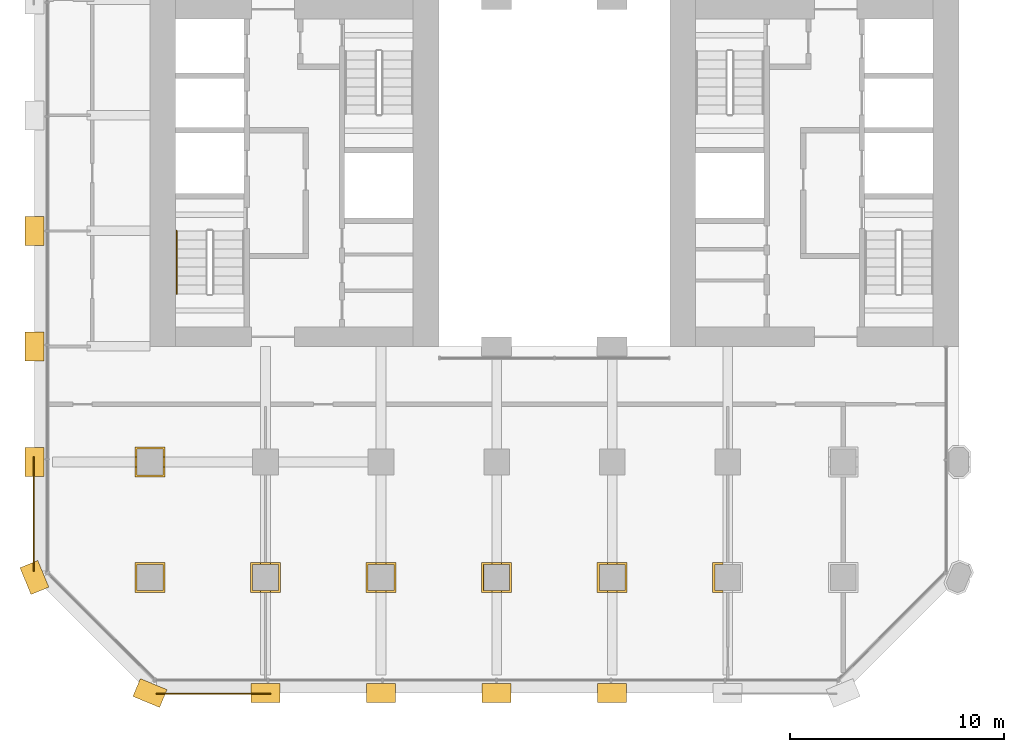
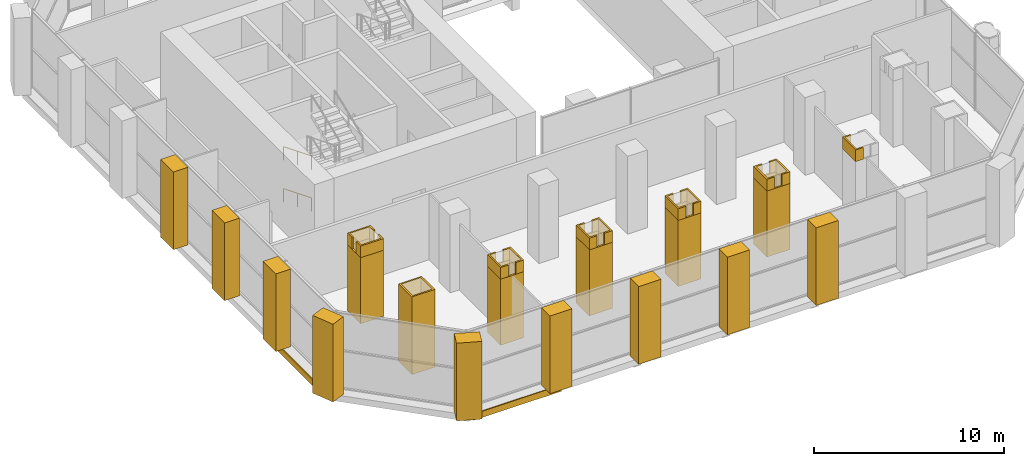
# One storey, part 19 of 27: 28 coverings, 2 railings.
"""IFC4 building model written with IfcOpenShell, lengths in metres."""

from ifc_helpers import new_model, si_unit, direction, frame, frame_2d, origin, origin_2d, place, context, subcontext, project, spatial, polyline, rectangle, circle, outline, extrude, material, layer, layer_set, type_object, element, save


model = new_model("IFC4")

# Units and contexts
model_context = context("Model", 3, precision=1e-05, world=origin(), true_north=direction((0.0, 1.0)))
body_context = subcontext(model_context, "Body", "Model", "MODEL_VIEW")
ifc_project = project(units=[si_unit("LENGTHUNIT", "METRE"), si_unit("AREAUNIT", "SQUARE_METRE"), si_unit("VOLUMEUNIT", "CUBIC_METRE"), si_unit("PLANEANGLEUNIT", "RADIAN"), si_unit("MASSUNIT", "GRAM", prefix="KILO")], contexts=[model_context])

# Site, building, storey
site_placement = place(None, origin())
site = spatial("IfcSite", under=ifc_project, at=site_placement, CompositionType="ELEMENT")
building_placement = place(site_placement, origin())
building = spatial("IfcBuilding", under=site, at=building_placement, Name="Tabaq Tower and Sports Hall", CompositionType="ELEMENT")
storey_placement = place(building_placement, frame((0.0, 0.0, 14.39990234375)))
storey = spatial("IfcBuildingStorey", under=building, at=storey_placement, Name="L02", CompositionType="ELEMENT", Elevation=14.39990234375)

# Coverings
ifc_material_1 = material(Name="Precast concrete C60/75", Category="concrete")
ifc_layer_1 = layer(ifc_material_1, 0.10009765625)
ifc_layer_set_1 = layer_set([ifc_layer_1], Name="Column cladding 100")
covering_type_1 = type_object("IfcCoveringType", Name="Column cladding 100", PredefinedType="CLADDING", material=ifc_layer_set_1)
covering_1_placement = place(storey_placement, origin())
element("IfcCovering", 1, at=covering_1_placement, inside=storey, type_object=covering_type_1, Name="Column cladding L02 CC-2B-P", PredefinedType="CLADDING", context=body_context, shape_type="SweptSolid", body=[
    extrude(outline(polyline([(4.7001953125, 6.099609375), (6.099609375, 6.099609375), (6.099609375, 4.7001953125), (4.7001953125, 4.7001953125), (4.7001953125, 6.099609375)]), holes=[polyline([(6.000244140625, 4.7998046875), (6.000244140625, 6.000244140625), (4.7998046875, 6.000244140625), (4.7998046875, 4.7998046875), (6.000244140625, 4.7998046875)])]), origin(), (0.0, 0.0, 1.0), 5.0),
])
covering_2_placement = place(storey_placement, origin())
element("IfcCovering", 2, at=covering_2_placement, inside=storey, type_object=covering_type_1, Name="Column cladding L02 CC-2C-P", PredefinedType="CLADDING", context=body_context, shape_type="SweptSolid", body=[
    extrude(outline(polyline([(4.7001953125, 11.499755859375), (6.099609375, 11.499755859375), (6.099609375, 10.100341796875), (4.7001953125, 10.100341796875), (4.7001953125, 11.499755859375)]), holes=[polyline([(6.000244140625, 10.19970703125), (6.000244140625, 11.400390625), (4.7998046875, 11.400390625), (4.7998046875, 10.19970703125), (6.000244140625, 10.19970703125)])]), origin(), (0.0, 0.0, 1.0), 4.25),
])
covering_3_placement = place(storey_placement, frame((0.0, 0.0, 4.25)))
element("IfcCovering", 3, at=covering_3_placement, inside=storey, type_object=covering_type_1, Name="Column cladding L02 CC-2C-P head", PredefinedType="CLADDING", context=body_context, shape_type="SweptSolid", body=[
    extrude(outline(polyline([(4.79931640625, 10.574462890625), (4.79931640625, 10.199462890625), (6.00048828125, 10.199462890625), (6.00048828125, 10.574462890625), (6.099365234375, 10.574462890625), (6.099365234375, 10.1005859375), (4.70068359375, 10.1005859375), (4.70068359375, 10.574462890625), (4.79931640625, 10.574462890625)])), origin(), (0.0, 0.0, 1.0), 0.75),
])
covering_4_placement = place(storey_placement, frame((0.0, 0.0, 4.25)))
element("IfcCovering", 4, at=covering_4_placement, inside=storey, type_object=covering_type_1, Name="Column cladding L02 CC-2C-P head 2", PredefinedType="CLADDING", context=body_context, shape_type="SweptSolid", body=[
    extrude(outline(polyline([(4.79931640625, 11.025634765625), (4.70068359375, 11.025634765625), (4.70068359375, 11.49951171875), (6.099365234375, 11.49951171875), (6.099365234375, 11.025634765625), (6.00048828125, 11.025634765625), (6.00048828125, 11.400634765625), (4.79931640625, 11.400634765625), (4.79931640625, 11.025634765625)])), origin(), (0.0, 0.0, 1.0), 0.75),
])
covering_5_placement = place(storey_placement, origin())
element("IfcCovering", 5, at=covering_5_placement, inside=storey, type_object=covering_type_1, Name="Column cladding L02 CC-3B-P", PredefinedType="CLADDING", context=body_context, shape_type="SweptSolid", body=[
    extrude(outline(polyline([(10.100341796875, 6.099609375), (11.499755859375, 6.099609375), (11.499755859375, 4.7001953125), (10.100341796875, 4.7001953125), (10.100341796875, 6.099609375)]), holes=[polyline([(11.400390625, 4.7998046875), (11.400390625, 6.000244140625), (10.19970703125, 6.000244140625), (10.19970703125, 4.7998046875), (11.400390625, 4.7998046875)])]), origin(), (0.0, 0.0, 1.0), 4.25),
])
covering_6_placement = place(storey_placement, frame((0.0, 0.0, 4.25)))
element("IfcCovering", 6, at=covering_6_placement, inside=storey, type_object=covering_type_1, Name="Column cladding L02 CC-3B-P head", PredefinedType="CLADDING", context=body_context, shape_type="SweptSolid", body=[
    extrude(outline(polyline([(10.574462890625, 4.79931640625), (10.574462890625, 4.70068359375), (10.1005859375, 4.70068359375), (10.1005859375, 6.099365234375), (10.574462890625, 6.099365234375), (10.574462890625, 6.00048828125), (10.199462890625, 6.00048828125), (10.199462890625, 4.79931640625), (10.574462890625, 4.79931640625)])), origin(), (0.0, 0.0, 1.0), 0.75),
])
covering_7_placement = place(storey_placement, frame((0.0, 0.0, 4.25)))
element("IfcCovering", 7, at=covering_7_placement, inside=storey, type_object=covering_type_1, Name="Column cladding L02 CC-3B-P head 2", PredefinedType="CLADDING", context=body_context, shape_type="SweptSolid", body=[
    extrude(outline(polyline([(11.025634765625, 4.79931640625), (11.400634765625, 4.79931640625), (11.400634765625, 6.00048828125), (11.025634765625, 6.00048828125), (11.025634765625, 6.099365234375), (11.49951171875, 6.099365234375), (11.49951171875, 4.70068359375), (11.025634765625, 4.70068359375), (11.025634765625, 4.79931640625)])), origin(), (0.0, 0.0, 1.0), 0.75),
])
covering_8_placement = place(storey_placement, origin())
element("IfcCovering", 8, at=covering_8_placement, inside=storey, type_object=covering_type_1, Name="Column cladding L02 CC-4B-P", PredefinedType="CLADDING", context=body_context, shape_type="SweptSolid", body=[
    extrude(outline(polyline([(15.500244140625, 6.099609375), (16.899658203125, 6.099609375), (16.899658203125, 4.7001953125), (15.500244140625, 4.7001953125), (15.500244140625, 6.099609375)]), holes=[polyline([(16.80029296875, 4.7998046875), (16.80029296875, 6.000244140625), (15.599609375, 6.000244140625), (15.599609375, 4.7998046875), (16.80029296875, 4.7998046875)])]), origin(), (0.0, 0.0, 1.0), 4.25),
])
covering_9_placement = place(storey_placement, frame((0.0, 0.0, 4.25)))
element("IfcCovering", 9, at=covering_9_placement, inside=storey, type_object=covering_type_1, Name="Column cladding L02 CC-4B-P head", PredefinedType="CLADDING", context=body_context, shape_type="SweptSolid", body=[
    extrude(outline(polyline([(16.425537109375, 4.79931640625), (16.800537109375, 4.79931640625), (16.800537109375, 6.00048828125), (16.425537109375, 6.00048828125), (16.425537109375, 6.099365234375), (16.8994140625, 6.099365234375), (16.8994140625, 4.70068359375), (16.425537109375, 4.70068359375), (16.425537109375, 4.79931640625)])), origin(), (0.0, 0.0, 1.0), 0.75),
])
covering_10_placement = place(storey_placement, frame((0.0, 0.0, 4.25)))
element("IfcCovering", 10, at=covering_10_placement, inside=storey, type_object=covering_type_1, Name="Column cladding L02 CC-4B-P head 2", PredefinedType="CLADDING", context=body_context, shape_type="SweptSolid", body=[
    extrude(outline(polyline([(15.974365234375, 4.79931640625), (15.974365234375, 4.70068359375), (15.50048828125, 4.70068359375), (15.50048828125, 6.099365234375), (15.974365234375, 6.099365234375), (15.974365234375, 6.00048828125), (15.599365234375, 6.00048828125), (15.599365234375, 4.79931640625), (15.974365234375, 4.79931640625)])), origin(), (0.0, 0.0, 1.0), 0.75),
])
covering_11_placement = place(storey_placement, origin())
element("IfcCovering", 11, at=covering_11_placement, inside=storey, type_object=covering_type_1, Name="Column cladding L02 CC-5B-P", PredefinedType="CLADDING", context=body_context, shape_type="SweptSolid", body=[
    extrude(outline(polyline([(20.900390625, 6.099609375), (22.2998046875, 6.099609375), (22.2998046875, 4.7001953125), (20.900390625, 4.7001953125), (20.900390625, 6.099609375)]), holes=[polyline([(22.2001953125, 4.7998046875), (22.2001953125, 6.000244140625), (20.999755859375, 6.000244140625), (20.999755859375, 4.7998046875), (22.2001953125, 4.7998046875)])]), origin(), (0.0, 0.0, 1.0), 4.25),
])
covering_12_placement = place(storey_placement, frame((0.0, 0.0, 4.25)))
element("IfcCovering", 12, at=covering_12_placement, inside=storey, type_object=covering_type_1, Name="Column cladding L02 CC-5B-P head", PredefinedType="CLADDING", context=body_context, shape_type="SweptSolid", body=[
    extrude(outline(polyline([(21.37451171875, 4.79931640625), (21.37451171875, 4.70068359375), (20.900634765625, 4.70068359375), (20.900634765625, 6.099365234375), (21.37451171875, 6.099365234375), (21.37451171875, 6.00048828125), (20.99951171875, 6.00048828125), (20.99951171875, 4.79931640625), (21.37451171875, 4.79931640625)])), origin(), (0.0, 0.0, 1.0), 0.75),
])
covering_13_placement = place(storey_placement, frame((0.0, 0.0, 4.25)))
element("IfcCovering", 13, at=covering_13_placement, inside=storey, type_object=covering_type_1, Name="Column cladding L02 CC-5B-P head 2", PredefinedType="CLADDING", context=body_context, shape_type="SweptSolid", body=[
    extrude(outline(polyline([(21.82568359375, 4.79931640625), (22.20068359375, 4.79931640625), (22.20068359375, 6.00048828125), (21.82568359375, 6.00048828125), (21.82568359375, 6.099365234375), (22.29931640625, 6.099365234375), (22.29931640625, 4.70068359375), (21.82568359375, 4.70068359375), (21.82568359375, 4.79931640625)])), origin(), (0.0, 0.0, 1.0), 0.75),
])
covering_14_placement = place(storey_placement, origin())
element("IfcCovering", 14, at=covering_14_placement, inside=storey, type_object=covering_type_1, Name="Column cladding L02 CC-6B-P", PredefinedType="CLADDING", context=body_context, shape_type="SweptSolid", body=[
    extrude(outline(polyline([(26.30029296875, 6.099609375), (27.69970703125, 6.099609375), (27.69970703125, 4.7001953125), (26.30029296875, 4.7001953125), (26.30029296875, 6.099609375)]), holes=[polyline([(27.600341796875, 4.7998046875), (27.600341796875, 6.000244140625), (26.399658203125, 6.000244140625), (26.399658203125, 4.7998046875), (27.600341796875, 4.7998046875)])]), origin(), (0.0, 0.0, 1.0), 4.25),
])
covering_15_placement = place(storey_placement, frame((0.0, 0.0, 4.25)))
element("IfcCovering", 15, at=covering_15_placement, inside=storey, type_object=covering_type_1, Name="Column cladding L02 CC-6B-P head", PredefinedType="CLADDING", context=body_context, shape_type="SweptSolid", body=[
    extrude(outline(polyline([(26.7744140625, 4.79931640625), (26.7744140625, 4.70068359375), (26.300537109375, 4.70068359375), (26.300537109375, 6.099365234375), (26.7744140625, 6.099365234375), (26.7744140625, 6.00048828125), (26.3994140625, 6.00048828125), (26.3994140625, 4.79931640625), (26.7744140625, 4.79931640625)])), origin(), (0.0, 0.0, 1.0), 0.75),
])
covering_16_placement = place(storey_placement, frame((0.0, 0.0, 4.25)))
element("IfcCovering", 16, at=covering_16_placement, inside=storey, type_object=covering_type_1, Name="Column cladding L02 CC-6B-P head 2", PredefinedType="CLADDING", context=body_context, shape_type="SweptSolid", body=[
    extrude(outline(polyline([(27.2255859375, 4.79931640625), (27.6005859375, 4.79931640625), (27.6005859375, 6.00048828125), (27.2255859375, 6.00048828125), (27.2255859375, 6.099365234375), (27.699462890625, 6.099365234375), (27.699462890625, 4.70068359375), (27.2255859375, 4.70068359375), (27.2255859375, 4.79931640625)])), origin(), (0.0, 0.0, 1.0), 0.75),
])
covering_17_placement = place(storey_placement, frame((0.0, 0.0, 4.25)))
element("IfcCovering", 17, at=covering_17_placement, inside=storey, type_object=covering_type_1, Name="Column cladding L02 CC-7B-P head 2", PredefinedType="CLADDING", context=body_context, shape_type="SweptSolid", body=[
    extrude(outline(polyline([(32.17431640625, 4.79931640625), (32.17431640625, 4.70068359375), (31.70068359375, 4.70068359375), (31.70068359375, 6.099365234375), (32.17431640625, 6.099365234375), (32.17431640625, 6.00048828125), (31.79931640625, 6.00048828125), (31.79931640625, 4.79931640625), (32.17431640625, 4.79931640625)])), origin(), (0.0, 0.0, 1.0), 0.75),
])
ifc_material_2 = material(Name="Precast concrete C60/75", Category="concrete")
ifc_layer_2 = layer(ifc_material_2, 0.06005859375)
ifc_layer_set_2 = layer_set([ifc_layer_2], Name="Edge beam cladding 60")
covering_type_2 = type_object("IfcCoveringType", Name="Edge beam cladding 60", PredefinedType="CLADDING", material=ifc_layer_set_2)
for number, where, z_axis, x_axis, name in (
    (18, (5.698486328125, -0.030029296875, -0.39990234375), (0.0, 0.0, 1.0), (1.0, 0.0, 0.0), "Edge beam cladding L02 1"),
    (19, (-0.030029296875, 11.0400390625, -0.39990234375), (0.0, 0.0, 1.0), (0.0, -1.0, 0.0), "Edge beam cladding L02 4 2"),
):
    element("IfcCovering", number, at=place(storey_placement, frame(where, z_axis=z_axis, x_axis=x_axis)), inside=storey, type_object=covering_type_2, Name=name, PredefinedType="CLADDING", context=body_context, shape_type="SweptSolid", body=[
        extrude(rectangle(XDim=5.341552734375, YDim=0.06005859375, at=frame_2d((2.6708984375, 0.0))), origin(), (0.0, 0.0, 1.0), 0.39990234375),
    ])
ifc_material_3 = material(Name="White precast concrete C60/75", Category="concrete")
covering_type_3 = type_object("IfcCoveringType", Name="Pier cladding hung 1350x900", PredefinedType="CLADDING", material=ifc_material_3)
for number, where, z_axis, x_axis, name in (
    (20, (-0.25830078125, 6.023681640625, 0.0), (0.0, 0.0, 1.0), (0.382649923473, -0.923893411637, 0.0), "Hung pier cladding 0/1"),
    (21, (0.0, 11.47509765625, 0.0), (0.0, 0.0, 1.0), (0.0, -1.0, 0.0), "Hung pier cladding 0/2"),
    (22, (0.0, 16.875, 0.0), (0.0, 0.0, 1.0), (0.0, -1.0, 0.0), "Hung pier cladding 0/3"),
):
    element("IfcCovering", number, at=place(storey_placement, frame(where, z_axis=z_axis, x_axis=x_axis)), inside=storey, type_object=covering_type_3, Name=name, PredefinedType="CLADDING", context=body_context, shape_type="SweptSolid", body=[
        extrude(rectangle(XDim=1.35009765625, YDim=0.89990234375, at=frame_2d((0.675048828125, 0.0))), origin(), (0.0, 0.0, 1.0), 5.0),
    ])
covering_18_placement = place(storey_placement, frame((0.0, 22.27490234375, 0.0), z_axis=(0.0, 0.0, 1.0), x_axis=(0.0, -1.0, 0.0)))
element("IfcCovering", 23, at=covering_18_placement, inside=storey, type_object=covering_type_3, Name="Hung pier cladding 0/4", PredefinedType="CLADDING", context=body_context, shape_type="SweptSolid", body=[
    extrude(rectangle(XDim=1.349853515625, YDim=0.89990234375, at=frame_2d((0.6748046875, 0.0))), origin(), (0.0, 0.0, 1.0), 5.0),
])
for number, where, z_axis, x_axis, name in (
    (24, (4.7763671875, 0.25830078125, 0.0), (0.0, 0.0, 1.0), (0.923893411637, -0.382649923473, 0.0), "Hung pier cladding 1/0"),
    (25, (10.125, 0.0, 0.0), (0.0, 0.0, 1.0), (1.0, 0.0, 0.0), "Hung pier cladding 2/0"),
    (26, (15.52490234375, 0.0, 0.0), (0.0, 0.0, 1.0), (1.0, 0.0, 0.0), "Hung pier cladding 3/0"),
):
    element("IfcCovering", number, at=place(storey_placement, frame(where, z_axis=z_axis, x_axis=x_axis)), inside=storey, type_object=covering_type_3, Name=name, PredefinedType="CLADDING", context=body_context, shape_type="SweptSolid", body=[
        extrude(rectangle(XDim=1.35009765625, YDim=0.89990234375, at=frame_2d((0.675048828125, 0.0))), origin(), (0.0, 0.0, 1.0), 5.0),
    ])
covering_19_placement = place(storey_placement, frame((20.925048828125, 0.0, 0.0), z_axis=(0.0, 0.0, 1.0), x_axis=(1.0, 0.0, 0.0)))
element("IfcCovering", 27, at=covering_19_placement, inside=storey, type_object=covering_type_3, Name="Hung pier cladding 4/0", PredefinedType="CLADDING", context=body_context, shape_type="SweptSolid", body=[
    extrude(rectangle(XDim=1.349853515625, YDim=0.89990234375, at=frame_2d((0.6748046875, 0.0))), origin(), (0.0, 0.0, 1.0), 5.0),
])
covering_20_placement = place(storey_placement, frame((26.324951171875, 0.0, 0.0), z_axis=(0.0, 0.0, 1.0), x_axis=(1.0, 0.0, 0.0)))
element("IfcCovering", 28, at=covering_20_placement, inside=storey, type_object=covering_type_3, Name="Hung pier cladding 5/0", PredefinedType="CLADDING", context=body_context, shape_type="SweptSolid", body=[
    extrude(rectangle(XDim=1.35009765625, YDim=0.89990234375, at=frame_2d((0.675048828125, 0.0))), origin(), (0.0, 0.0, 1.0), 5.0),
])

# Railings
ifc_material_4 = material(Name="Stainless steel", Category="steel")
railing_type = type_object("IfcRailingType", Name="Stair handrail", PredefinedType="HANDRAIL", material=ifc_material_4)
for number, where, name in (
    (29, (6.64990234375, 21.60009765625, 0.1689453125), "L02 ST1 stair handrail 1"),
    (30, (6.64990234375, 21.60009765625, 2.868896484375), "L02 ST1 stair handrail 3"),
):
    element("IfcRailing", number, at=place(storey_placement, frame(where)), inside=storey, type_object=railing_type, Name=name, PredefinedType="HANDRAIL", context=body_context, shape_type="SweptSolid", body=[
        extrude(circle(Radius=0.02392578125, at=origin_2d()), frame((0.0, 0.0, 0.8759765625), z_axis=(0.0, -0.927923022591, 0.372771866088), x_axis=(1.0, 0.0, 0.0)), (0.0, 0.0, 1.0), 3.16845703125),
        extrude(circle(Radius=0.02099609375, at=origin_2d()), origin(), (0.0, 0.0, 1.0), 0.851806640625),
        extrude(circle(Radius=0.02099609375, at=origin_2d()), frame((0.0, -1.47021484375, 0.590576171875)), (0.0, 0.0, 1.0), 0.851806640625),
        extrude(circle(Radius=0.02099609375, at=origin_2d()), frame((0.0, -2.940185546875, 1.18115234375)), (0.0, 0.0, 1.0), 0.851806640625),
    ])

save(model, "model.ifc")
